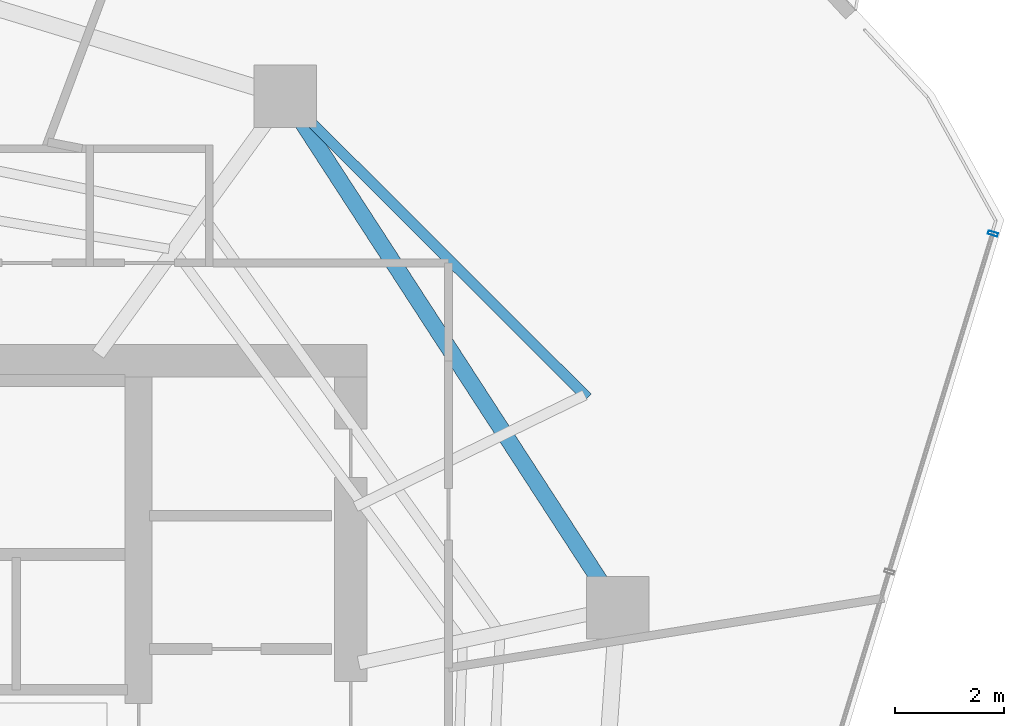
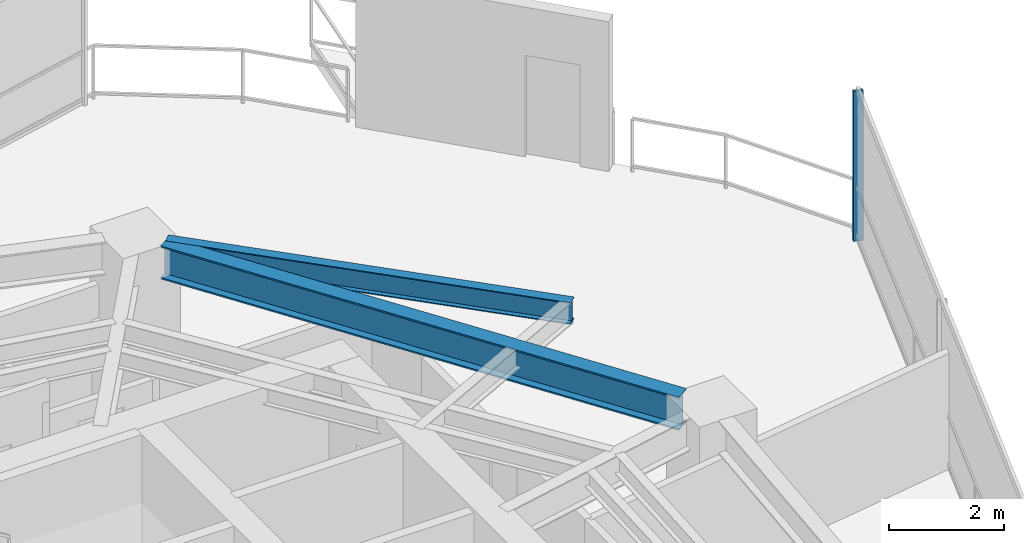
# One storey, part 16 of 23: 2 beams, 1 member, 1 element without a shape of its own.
"""IFC4 building model written with IfcOpenShell, lengths in metres."""

from ifc_helpers import new_model, si_unit, direction, frame, origin, origin_2d, place, context, subcontext, project, spatial, hollow_rectangle, i_section, extrude, material, layer, layer_set, material_profile, profile_set, type_object, element, aggregate, save


model = new_model("IFC4")

# Units and contexts
model_context = context("Model", 3, precision=1e-05, world=origin(), true_north=direction((0.0, 1.0)))
body_context = subcontext(model_context, "Body", "Model", "MODEL_VIEW")
ifc_project = project(units=[si_unit("LENGTHUNIT", "METRE"), si_unit("AREAUNIT", "SQUARE_METRE"), si_unit("VOLUMEUNIT", "CUBIC_METRE"), si_unit("PLANEANGLEUNIT", "RADIAN"), si_unit("MASSUNIT", "GRAM", prefix="KILO")], contexts=[model_context])

# Site, building, storey
site_placement = place(None, origin())
site = spatial("IfcSite", under=ifc_project, at=site_placement, CompositionType="ELEMENT")
building_placement = place(site_placement, origin())
building = spatial("IfcBuilding", under=site, at=building_placement, Name="Qarnah Convention Tower", CompositionType="ELEMENT")
storey_placement = place(building_placement, frame((0.0, 0.0, 114.300048828125)))
storey = spatial("IfcBuildingStorey", under=building, at=storey_placement, Name="L30", CompositionType="ELEMENT", Elevation=114.300048828125)

# Beams
ifc_material_1 = material(Name="Structural steel S355JR", Category="steel")
ifc_material_profile_1 = material_profile(ifc_material_1, i_section(OverallWidth=0.19189453125, OverallDepth=0.464111328125, WebThickness=0.010986328125, FlangeThickness=0.01806640625, at=origin_2d()), Name="W460X89")
ifc_profile_set_1 = profile_set([ifc_material_profile_1], Name="Structural steel S355JR")
beam_type_1 = type_object("IfcBeamType", Name="BM-CANT-W460A", PredefinedType="BEAM", material=ifc_profile_set_1)
beam_1_placement = place(storey_placement, frame((51.952880859375, 33.52099609375, 2.93798828125), z_axis=(-0.707978220507, 0.706234266577, 0.0), x_axis=(-0.706234266577, -0.707978220507, 0.0)))
element("IfcBeam", 1, at=beam_1_placement, inside=storey, type_object=beam_type_1, Name="L30 spandrel BM-L30-CTIE-01", PredefinedType="SPANDREL", context=body_context, shape_type="SweptSolid", body=[
    extrude(i_section(OverallWidth=0.19189453125, OverallDepth=0.464111328125, WebThickness=0.010986328125, FlangeThickness=0.01806640625, at=origin_2d()), origin(), (0.0, 0.0, 1.0), 7.279541015625),
])
ifc_material_profile_2 = material_profile(ifc_material_1, i_section(OverallWidth=0.300048828125, OverallDepth=0.699951171875, WebThickness=0.01708984375, FlangeThickness=0.031982421875, at=origin_2d()), Name="HEB700")
ifc_profile_set_2 = profile_set([ifc_material_profile_2], Name="Structural steel S355JR")
beam_type_2 = type_object("IfcBeamType", Name="BM-RING-HEB700", PredefinedType="BEAM", material=ifc_profile_set_2)
beam_2_placement = place(storey_placement, frame((52.199951171875, 30.1279296875, 2.820068359375), z_axis=(-0.544610528714, 0.838689079465, 0.0), x_axis=(-0.838689079465, -0.544610528714, 0.0)))
element("IfcBeam", 2, at=beam_2_placement, inside=storey, type_object=beam_type_2, Name="L30 beam BM-L30-SPN-01", PredefinedType="BEAM", context=body_context, shape_type="SweptSolid", body=[
    extrude(i_section(OverallWidth=0.300048828125, OverallDepth=0.699951171875, WebThickness=0.01708984375, FlangeThickness=0.031982421875, at=origin_2d()), origin(), (0.0, 0.0, 1.0), 10.0859375),
])

# Curtain wall, member
ifc_material_2 = material(Name="Tempered Low-E dark glass", Category="glass")
ifc_layer = layer(ifc_material_2, 0.169921875)
ifc_layer_set = layer_set([ifc_layer], Name="Tempered Low-E dark glass")
curtain_wall_type = type_object("IfcCurtainWallType", Name="CWS-02", PredefinedType="NOTDEFINED", material=ifc_layer_set)
curtain_wall_placement = place(storey_placement, origin())
curtain_wall = element("IfcCurtainWall", 3, at=curtain_wall_placement, inside=storey, type_object=curtain_wall_type, Name="L30 unitised curtain wall CW-L30-F2", PredefinedType="NOTDEFINED")
ifc_material_3 = material(Name="Black anodised aluminium", Category="aluminium")
ifc_material_profile_3 = material_profile(ifc_material_3, hollow_rectangle(XDim=0.06494140625, YDim=0.179931640625, WallThickness=0.00390625, at=origin_2d()), Name="MUL-65X180")
ifc_profile_set_3 = profile_set([ifc_material_profile_3], Name="Black anodised aluminium")
member_type = type_object("IfcMemberType", Name="MUL-T2", PredefinedType="MULLION", material=ifc_profile_set_3)
member_placement = place(storey_placement, frame((59.410888671875, 36.5380859375, 0.0), z_axis=(0.0, 0.0, 1.0), x_axis=(-0.293046001666, -0.956098342697, 0.0)))
member = element("IfcMember", 4, at=member_placement, type_object=member_type, Name="CW-L30-F2 mullion 1", PredefinedType="MULLION", context=body_context, shape_type="SweptSolid", body=[
    extrude(hollow_rectangle(XDim=0.06494140625, YDim=0.179931640625, WallThickness=0.00390625, at=origin_2d()), origin(), (0.0, 0.0, 1.0), 3.169921875),
])
aggregate(curtain_wall, [member])

save(model, "model.ifc")
